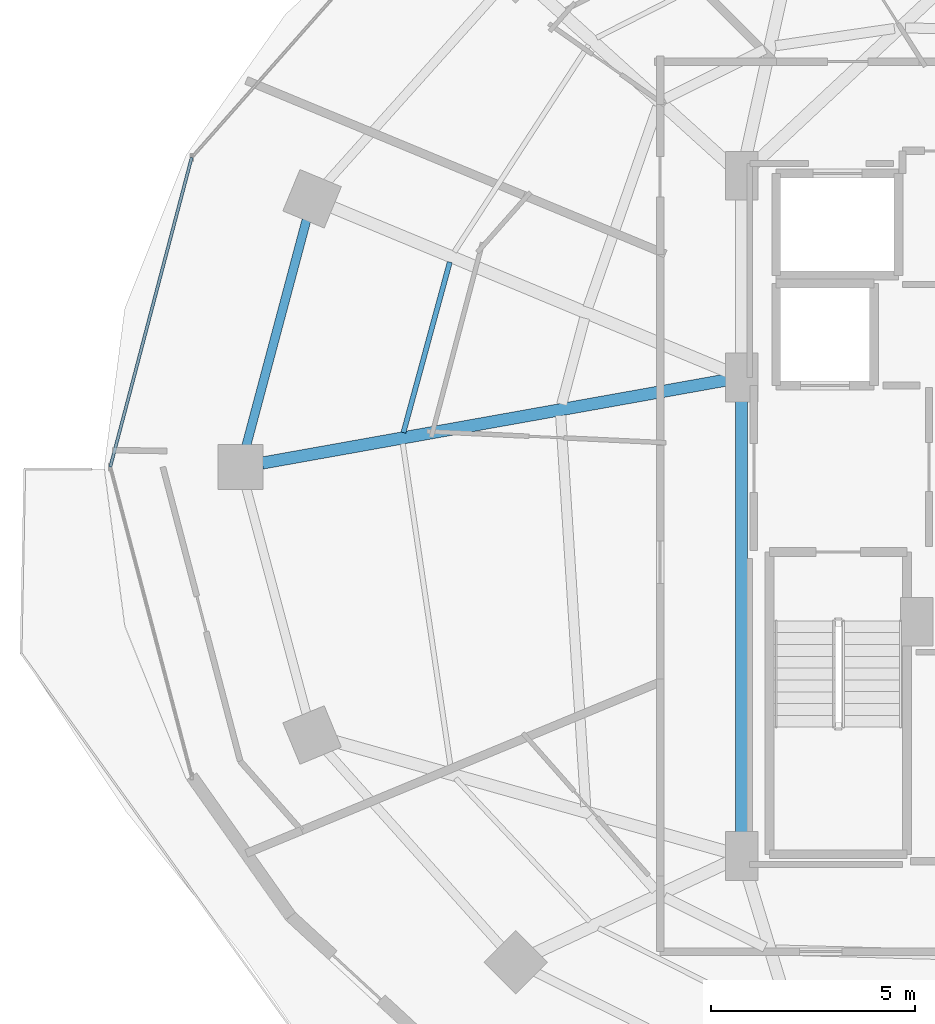
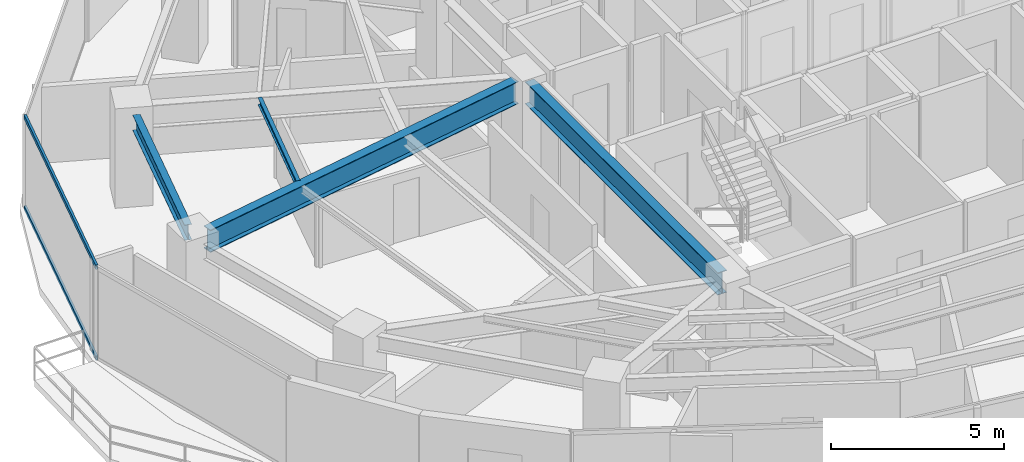
# One storey, part 8 of 31: 4 beams, 2 members, 1 element without a shape of its own.
"""IFC4 building model written with IfcOpenShell, lengths in metres."""

from ifc_helpers import new_model, si_unit, direction, frame, origin, origin_2d, place, context, subcontext, project, spatial, hollow_rectangle, i_section, extrude, material, material_profile, profile_set, type_object, element, aggregate, save


model = new_model("IFC4")

# Units and contexts
model_context = context("Model", 3, precision=1e-05, world=origin(), true_north=direction((0.0, 1.0)))
body_context = subcontext(model_context, "Body", "Model", "MODEL_VIEW")
ifc_project = project(units=[si_unit("LENGTHUNIT", "METRE"), si_unit("AREAUNIT", "SQUARE_METRE"), si_unit("VOLUMEUNIT", "CUBIC_METRE"), si_unit("PLANEANGLEUNIT", "RADIAN"), si_unit("MASSUNIT", "GRAM", prefix="KILO")], contexts=[model_context])

# Site, building, storey
site_placement = place(None, origin())
site = spatial("IfcSite", under=ifc_project, at=site_placement, CompositionType="ELEMENT")
building_placement = place(site_placement, origin())
building = spatial("IfcBuilding", under=site, at=building_placement, Name="Vorneva Point Tower", CompositionType="ELEMENT")
storey_placement = place(building_placement, frame((0.0, 0.0, 99.800048828125)))
storey = spatial("IfcBuildingStorey", under=building, at=storey_placement, Name="L26", CompositionType="ELEMENT", Elevation=99.800048828125)

# Beams
ifc_material_1 = material(Name="Steel S355", Category="steel")
ifc_material_profile_1 = material_profile(ifc_material_1, i_section(OverallWidth=0.300048828125, OverallDepth=0.7880859375, WebThickness=0.014404296875, FlangeThickness=0.02197265625, at=origin_2d()), Name="80Sh1")
ifc_profile_set_1 = profile_set([ifc_material_profile_1], Name="Steel S355")
beam_type_1 = type_object("IfcBeamType", Name="BM-GRD-80Sh1", PredefinedType="USERDEFINED", material=ifc_profile_set_1)
beam_1_placement = place(storey_placement, frame((15.4794921875, 26.0947265625, 2.845947265625), z_axis=(0.984378310682, 0.176066298476, 0.0), x_axis=(-0.176066298476, 0.984378310682, 0.0)))
element("IfcBeam", 1, at=beam_1_placement, inside=storey, type_object=beam_type_1, Name="L26 Radial Primary Girder 09", ObjectType="GIRDER", PredefinedType="USERDEFINED", context=body_context, shape_type="SweptSolid", body=[
    extrude(i_section(OverallWidth=0.300048828125, OverallDepth=0.7880859375, WebThickness=0.014404296875, FlangeThickness=0.02197265625, at=origin_2d()), origin(), (0.0, 0.0, 1.0), 11.6171875),
])
beam_2_placement = place(storey_placement, frame((27.25, 16.77001953125, 2.845947265625), z_axis=(0.0, 1.0, 0.0), x_axis=(-1.0, 0.0, 0.0)))
element("IfcBeam", 2, at=beam_2_placement, inside=storey, type_object=beam_type_1, Name="L26 Core Tie Girder CT1", ObjectType="GIRDER", PredefinedType="USERDEFINED", context=body_context, shape_type="SweptSolid", body=[
    extrude(i_section(OverallWidth=0.300048828125, OverallDepth=0.7880859375, WebThickness=0.014404296875, FlangeThickness=0.02197265625, at=origin_2d()), origin(), (0.0, 0.0, 1.0), 11.10986328125),
])
ifc_material_profile_2 = material_profile(ifc_material_1, i_section(OverallWidth=0.1240234375, OverallDepth=0.248046875, WebThickness=0.0048828125, FlangeThickness=0.008056640625, at=origin_2d()), Name="25B1")
ifc_profile_set_2 = profile_set([ifc_material_profile_2], Name="Steel S355")
beam_type_2 = type_object("IfcBeamType", Name="BM-JST-25B1", PredefinedType="JOIST", material=ifc_profile_set_2)
beam_3_placement = place(storey_placement, frame((20.085693359375, 31.029052734375, 3.115966796875), z_axis=(-0.262498516755, -0.964932395923, 0.0), x_axis=(0.964932395923, -0.262498516755, 0.0)))
element("IfcBeam", 3, at=beam_3_placement, inside=storey, type_object=beam_type_2, Name="L26 Secondary Floor Beam 1.08", PredefinedType="JOIST", context=body_context, shape_type="SweptSolid", body=[
    extrude(i_section(OverallWidth=0.1240234375, OverallDepth=0.248046875, WebThickness=0.0048828125, FlangeThickness=0.008056640625, at=origin_2d()), origin(), (0.0, 0.0, 1.0), 4.339599609375),
])
ifc_material_profile_3 = material_profile(ifc_material_1, i_section(OverallWidth=0.219970703125, OverallDepth=0.54296875, WebThickness=0.009521484375, FlangeThickness=0.013427734375, at=origin_2d()), Name="55B1")
ifc_profile_set_3 = profile_set([ifc_material_profile_3], Name="Steel S355")
beam_type_3 = type_object("IfcBeamType", Name="BM-SPN-55B1", PredefinedType="SPANDREL", material=ifc_profile_set_3)
beam_4_placement = place(storey_placement, frame((16.56689453125, 32.065185546875, 2.968505859375), z_axis=(-0.257572674071, -0.966258928845, 0.0), x_axis=(0.966258928845, -0.257572674071, 0.0)))
element("IfcBeam", 4, at=beam_4_placement, inside=storey, type_object=beam_type_3, Name="L26 Perimeter Spandrel Ring Beam 08", PredefinedType="SPANDREL", context=body_context, shape_type="SweptSolid", body=[
    extrude(i_section(OverallWidth=0.219970703125, OverallDepth=0.54296875, WebThickness=0.009521484375, FlangeThickness=0.013427734375, at=origin_2d()), origin(), (0.0, 0.0, 1.0), 5.7421875),
])

# Curtain wall, members
ifc_material_2 = material(Name="Pale anodised aluminium", Category="aluminium")
curtain_wall_type = type_object("IfcCurtainWallType", Name="CW-HTL-SYS", PredefinedType="NOTDEFINED", material=ifc_material_2)
curtain_wall_placement = place(storey_placement, origin())
curtain_wall = element("IfcCurtainWall", 5, at=curtain_wall_placement, inside=storey, type_object=curtain_wall_type, Name="L26 Unitised Curtain Wall CW-L26-R03", PredefinedType="NOTDEFINED")
ifc_material_profile_4 = material_profile(ifc_material_2, hollow_rectangle(XDim=0.074951171875, YDim=0.14990234375, WallThickness=0.00390625, at=origin_2d()), Name="AL-TRN 150x75x4")
ifc_profile_set_4 = profile_set([ifc_material_profile_4], Name="Pale anodised aluminium")
member_type = type_object("IfcMemberType", Name="CW-TRN-150", PredefinedType="USERDEFINED", material=ifc_profile_set_4)
member_1_placement = place(storey_placement, frame((13.748291015625, 33.59619140625, 0.02001953125), z_axis=(-0.254409150465, -0.967096677773, 0.0), x_axis=(0.967096677773, -0.254409150465, 0.0)))
member_1 = element("IfcMember", 6, at=member_1_placement, type_object=member_type, Name="CW-L26-R03 Transom 02.1", ObjectType="TRANSOM", PredefinedType="USERDEFINED", context=body_context, shape_type="SweptSolid", body=[
    extrude(hollow_rectangle(XDim=0.074951171875, YDim=0.14990234375, WallThickness=0.00390625, at=origin_2d()), origin(), (0.0, 0.0, 1.0), 7.854736328125),
])
member_2_placement = place(storey_placement, frame((13.748291015625, 33.59619140625, 3.219970703125), z_axis=(-0.254409150465, -0.967096677773, 0.0), x_axis=(0.967096677773, -0.254409150465, 0.0)))
member_2 = element("IfcMember", 7, at=member_2_placement, type_object=member_type, Name="CW-L26-R03 Transom 02.2", ObjectType="TRANSOM", PredefinedType="USERDEFINED", context=body_context, shape_type="SweptSolid", body=[
    extrude(hollow_rectangle(XDim=0.074951171875, YDim=0.14990234375, WallThickness=0.00390625, at=origin_2d()), origin(), (0.0, 0.0, 1.0), 7.854736328125),
])
aggregate(curtain_wall, [member_1, member_2])

save(model, "model.ifc")
